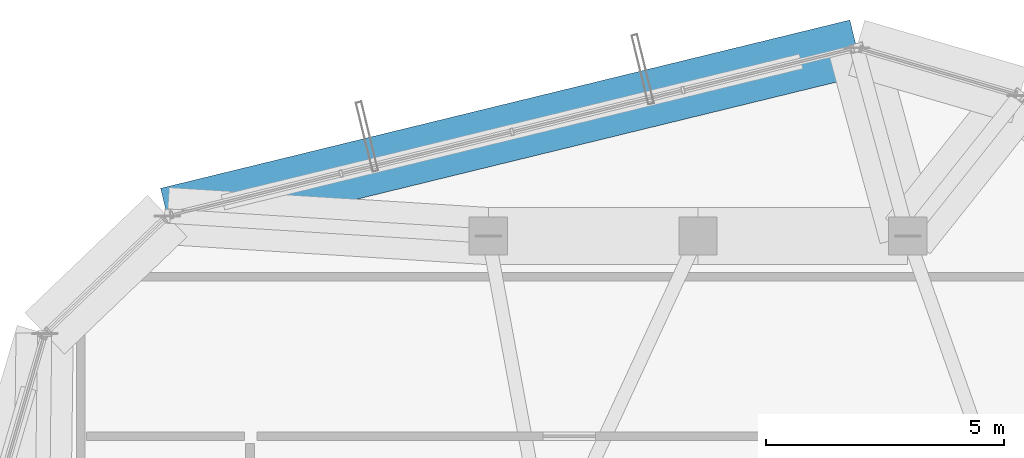
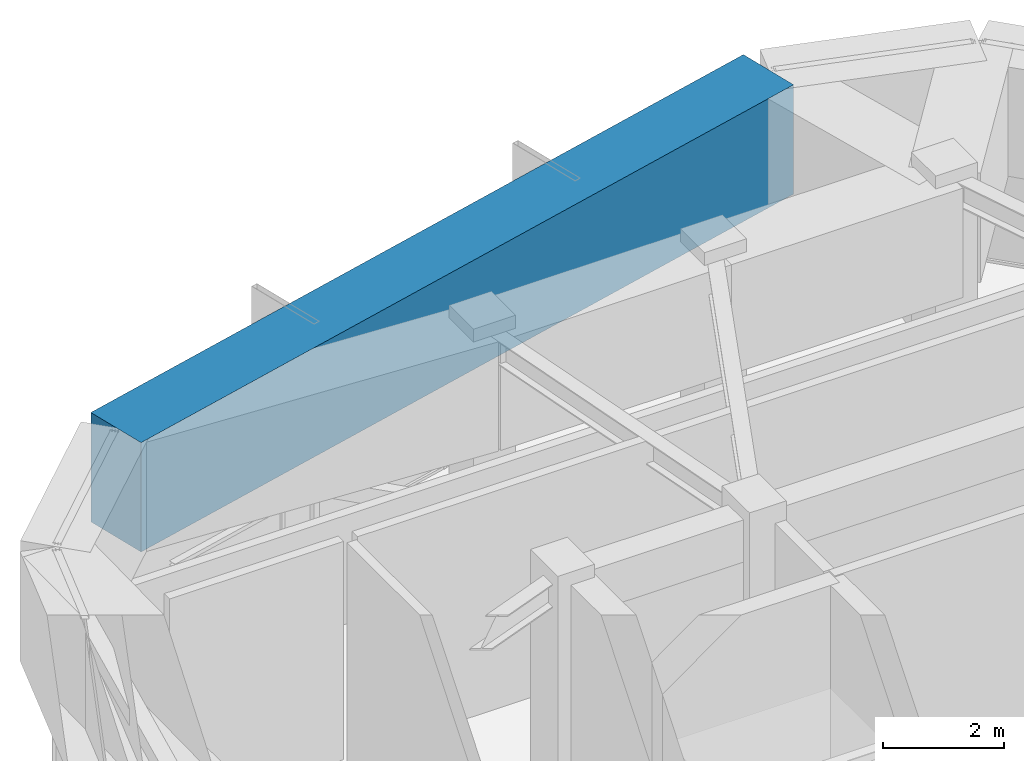
# One storey, part 30 of 39: 1 beam.
"""IFC4 building model written with IfcOpenShell, lengths in metres."""

import ifcopenshell
import ifcopenshell.guid

model = None  # the IFC model being written
_history = None  # IfcOwnerHistory: only IFC2X3 demands one
_inside = {}  # id of a spatial element -> (the spatial element, [elements in it])
_under = {}  # id of a project, library or spatial element -> (it, [spatial elements below it])
_declared = {}  # id of a project -> (the project, [libraries it declares])
_typed = {}  # id of a type object -> (the type object, [elements of that type])
_made_of = {}  # id of a material, layer set ... -> (it, [elements and type objects made of it])


def new_model(schema):
    """Start an empty IFC model of exactly this schema.

    Asked for "IFC4X3", IfcOpenShell would pick the latest addendum, in which some entities
    have other attributes; the version numbers below select the first issue.
    IFC2X3 requires an IfcOwnerHistory on every rooted entity: one is made here for all.
    """
    global model, _history
    if schema == "IFC4X3":
        model = ifcopenshell.file(schema_version=(4, 3, 0, 0))
    else:
        model = ifcopenshell.file(schema=schema)
    _inside.clear()
    _under.clear()
    _declared.clear()
    _typed.clear()
    _made_of.clear()
    _history = None
    if model.schema == "IFC2X3":
        org = make("IfcOrganization", Name="unknown")
        user = make(
            "IfcPersonAndOrganization",
            ThePerson=make("IfcPerson", FamilyName="unknown"),
            TheOrganization=org,
        )
        app = make(
            "IfcApplication",
            ApplicationDeveloper=org,
            Version="unknown",
            ApplicationFullName="unknown",
            ApplicationIdentifier="unknown",
        )
        _history = make(
            "IfcOwnerHistory",
            OwningUser=user,
            OwningApplication=app,
            ChangeAction="ADDED",
            CreationDate=0,
        )
    return model


def make(cls, **values):
    """One entity of the class cls with the attributes given. An attribute that is None is left unset."""
    return model.create_entity(
        cls, **{name: value for name, value in values.items() if value is not None}
    )


def rooted(cls, **values):
    """An entity with a GlobalId (a new one), such as an element, a storey or a relation."""
    return make(cls, GlobalId=ifcopenshell.guid.new(), OwnerHistory=_history, **values)


def si_unit(unit_type, name, prefix=None):
    """IfcSIUnit, for example si_unit("LENGTHUNIT", "METRE", prefix="MILLI")."""
    return make("IfcSIUnit", UnitType=unit_type, Prefix=prefix, Name=name)


def assignment(units):
    """IfcUnitAssignment: the units of a project."""
    return None if units is None else make("IfcUnitAssignment", Units=units)


def point(xyz):
    """IfcCartesianPoint."""
    return None if xyz is None else make("IfcCartesianPoint", Coordinates=xyz)


def direction(xyz):
    """IfcDirection."""
    return None if xyz is None else make("IfcDirection", DirectionRatios=xyz)


def frame(location, z_axis=None, x_axis=None):
    """IfcAxis2Placement3D, a coordinate frame: its origin and axes. An axis left out is left unset."""
    return make(
        "IfcAxis2Placement3D",
        Location=point(location),
        Axis=direction(z_axis),
        RefDirection=direction(x_axis),
    )


def frame_2d(location, x_axis=None):
    """IfcAxis2Placement2D, a coordinate frame in the plane: its origin and x axis."""
    return make(
        "IfcAxis2Placement2D", Location=point(location), RefDirection=direction(x_axis)
    )


def origin():
    """The frame at (0, 0, 0) with its axes left unset."""
    return frame((0.0, 0.0, 0.0))


def origin_2d():
    """The frame at (0, 0) in the plane with its x axis left unset."""
    return frame_2d((0.0, 0.0))


def place(relative_to, where):
    """IfcLocalPlacement: puts the frame where relative to a parent placement (None: the world)."""
    return make(
        "IfcLocalPlacement", PlacementRelTo=relative_to, RelativePlacement=where
    )


def context(
    kind, dimensions, precision=None, world=None, true_north=None, identifier=None
):
    """IfcGeometricRepresentationContext, for example the 3D "Model" context."""
    return make(
        "IfcGeometricRepresentationContext",
        ContextIdentifier=identifier,
        ContextType=kind,
        CoordinateSpaceDimension=dimensions,
        Precision=precision,
        WorldCoordinateSystem=world,
        TrueNorth=true_north,
    )


def subcontext(parent, identifier, kind, view, scale=None):
    """IfcGeometricRepresentationSubContext, for example "Body" below "Model"."""
    return make(
        "IfcGeometricRepresentationSubContext",
        ContextIdentifier=identifier,
        ContextType=kind,
        ParentContext=parent,
        TargetScale=scale,
        TargetView=view,
    )


def project(units=None, contexts=None):
    """IfcProject with its units and contexts."""
    return rooted(
        "IfcProject",
        Name="project",
        RepresentationContexts=contexts,
        UnitsInContext=assignment(units),
    )


def spatial(cls, under=None, at=None, **own):
    """A site, building, storey or space (cls), placed at a placement, below another one or the project."""
    s = rooted(cls, ObjectPlacement=at, **own)
    if under is not None:
        _under.setdefault(under.id(), (under, []))[1].append(s)
    return s


def profile(cls, at=None, kind="AREA", **sizes):
    """A parametric profile (cls). Its sizes go by their IFC names, for example OverallWidth=200.0."""
    return make(cls, ProfileType=kind, Position=at, **sizes)


def rectangle(**sizes):
    """IfcRectangleProfileDef."""
    return profile("IfcRectangleProfileDef", **sizes)


def extrude(swept, where, along, depth):
    """IfcExtrudedAreaSolid: the profile swept, set in the frame where, extruded along a direction by depth."""
    return make(
        "IfcExtrudedAreaSolid",
        SweptArea=swept,
        Position=where,
        ExtrudedDirection=direction(along),
        Depth=depth,
    )


def shape(context_of_items, identifier, shape_type, items):
    """IfcShapeRepresentation: the items that make up one representation, for example the "Body"."""
    return make(
        "IfcShapeRepresentation",
        ContextOfItems=context_of_items,
        RepresentationIdentifier=identifier,
        RepresentationType=shape_type,
        Items=items,
    )


def material(Name=None, Category=None):
    """IfcMaterial."""
    return make("IfcMaterial", Name=Name, Category=Category)


def material_profile(
    of_material, cross_section, Name=None, Category=None, Priority=None
):
    """IfcMaterialProfile: a cross section and its material."""
    return make(
        "IfcMaterialProfile",
        Name=Name,
        Material=of_material,
        Profile=cross_section,
        Priority=Priority,
        Category=Category,
    )


def profile_set(profiles, Name=None, composite=None):
    """IfcMaterialProfileSet."""
    return make(
        "IfcMaterialProfileSet",
        Name=Name,
        MaterialProfiles=profiles,
        CompositeProfile=composite,
    )


def made_of(thing, what):
    """Note that an element or type object is made of a material, layer set ...; save() writes the relation."""
    if what is not None:
        _made_of.setdefault(what.id(), (what, []))[1].append(thing)
    return thing


def type_object(cls, material=None, **own):
    """A type object (cls), such as IfcWallType, which elements share."""
    return made_of(rooted(cls, **own), material)


def element(
    cls,
    number,
    at=None,
    inside=None,
    cuts=None,
    type_object=None,
    material=None,
    context=None,
    identifier="Body",
    shape_type=None,
    held_by="IfcProductDefinitionShape",
    body=None,
    shapes=None,
    **own,
):
    """One element of the class cls, such as IfcWall. Its Tag is "e" and its number.

    at: its placement. inside: the storey or other place that contains it. cuts: it is an
    opening in that element (IfcRelVoidsElement). A single representation is given by context,
    identifier, shape_type and body (its items); several are given by shapes. held_by: the class
    of the entity that holds the representations. save() writes the other relations.
    """
    e = rooted(cls, Tag="e%d" % number, ObjectPlacement=at, **own)
    if body is not None:
        shapes = [shape(context, identifier, shape_type, body)]
    if shapes is not None:
        e.Representation = make(held_by, Representations=shapes)
    if inside is not None:
        _inside.setdefault(inside.id(), (inside, []))[1].append(e)
    if cuts is not None:
        rooted(
            "IfcRelVoidsElement", RelatingBuildingElement=cuts, RelatedOpeningElement=e
        )
    if type_object is not None:
        _typed.setdefault(type_object.id(), (type_object, []))[1].append(e)
    return made_of(e, material)


def aggregate(whole, parts):
    """IfcRelAggregates: a whole, such as a stair, and the parts it consists of."""
    return rooted("IfcRelAggregates", RelatingObject=whole, RelatedObjects=parts)


def save(model, path):
    """Write the relations noted so far, then the file.

    IfcRelAggregates (storeys below a building ...), IfcRelContainedInSpatialStructure (elements
    in a storey), IfcRelDefinesByType, IfcRelAssociatesMaterial and IfcRelDeclares: one each for
    every whole, place, type object, material and project.
    """
    for whole, parts in _under.values():
        aggregate(whole, parts)
    for where, things in _inside.values():
        rooted(
            "IfcRelContainedInSpatialStructure",
            RelatedElements=things,
            RelatingStructure=where,
        )
    for kind, things in _typed.values():
        rooted("IfcRelDefinesByType", RelatedObjects=things, RelatingType=kind)
    for what, things in _made_of.values():
        rooted("IfcRelAssociatesMaterial", RelatedObjects=things, RelatingMaterial=what)
    for by, libraries in _declared.values():
        rooted("IfcRelDeclares", RelatingContext=by, RelatedDefinitions=libraries)
    model.write(path)


model = new_model("IFC4")

# Units and contexts
model_context = context("Model", 3, precision=1e-05, world=origin(), true_north=direction((0.0, 1.0)))
body_context = subcontext(model_context, "Body", "Model", "MODEL_VIEW")
ifc_project = project(units=[si_unit("LENGTHUNIT", "METRE"), si_unit("AREAUNIT", "SQUARE_METRE"), si_unit("VOLUMEUNIT", "CUBIC_METRE"), si_unit("PLANEANGLEUNIT", "RADIAN"), si_unit("MASSUNIT", "GRAM", prefix="KILO")], contexts=[model_context])

# Site, building, storey
site_placement = place(None, origin())
site = spatial("IfcSite", under=ifc_project, at=site_placement, CompositionType="ELEMENT")
building_placement = place(site_placement, origin())
building = spatial("IfcBuilding", under=site, at=building_placement, Name="Veraguas Prism Commons", CompositionType="ELEMENT")
storey_placement = place(building_placement, frame((0.0, 0.0, 264.25)))
storey = spatial("IfcBuildingStorey", under=building, at=storey_placement, Name="L75", CompositionType="ELEMENT", Elevation=264.25)

# Beam
ifc_material = material(Name="Concrete C50/60", Category="concrete")
ifc_material_profile = material_profile(ifc_material, rectangle(XDim=1.199951171875, YDim=2.199951171875, at=origin_2d()), Name="RC1200X2200")
ifc_profile_set = profile_set([ifc_material_profile], Name="Concrete C50/60")
beam_type = type_object("IfcBeamType", Name="Podium Transfer Girder RC 1200x2200", PredefinedType="BEAM", material=ifc_profile_set)
beam_placement = place(storey_placement, frame((27.328125, 41.750244140625, 3.2900390625), z_axis=(-0.971464876614, -0.237183459594, 0.0), x_axis=(0.237183459594, -0.971464876614, 0.0)))
element("IfcBeam", 1, at=beam_placement, inside=storey, type_object=beam_type, Name="Crown Base Ring Beam L75-04", PredefinedType="BEAM", context=body_context, shape_type="SweptSolid", body=[
    extrude(rectangle(XDim=1.199951171875, YDim=2.199951171875, at=origin_2d()), origin(), (0.0, 0.0, 1.0), 14.88623046875),
])

save(model, "model.ifc")
